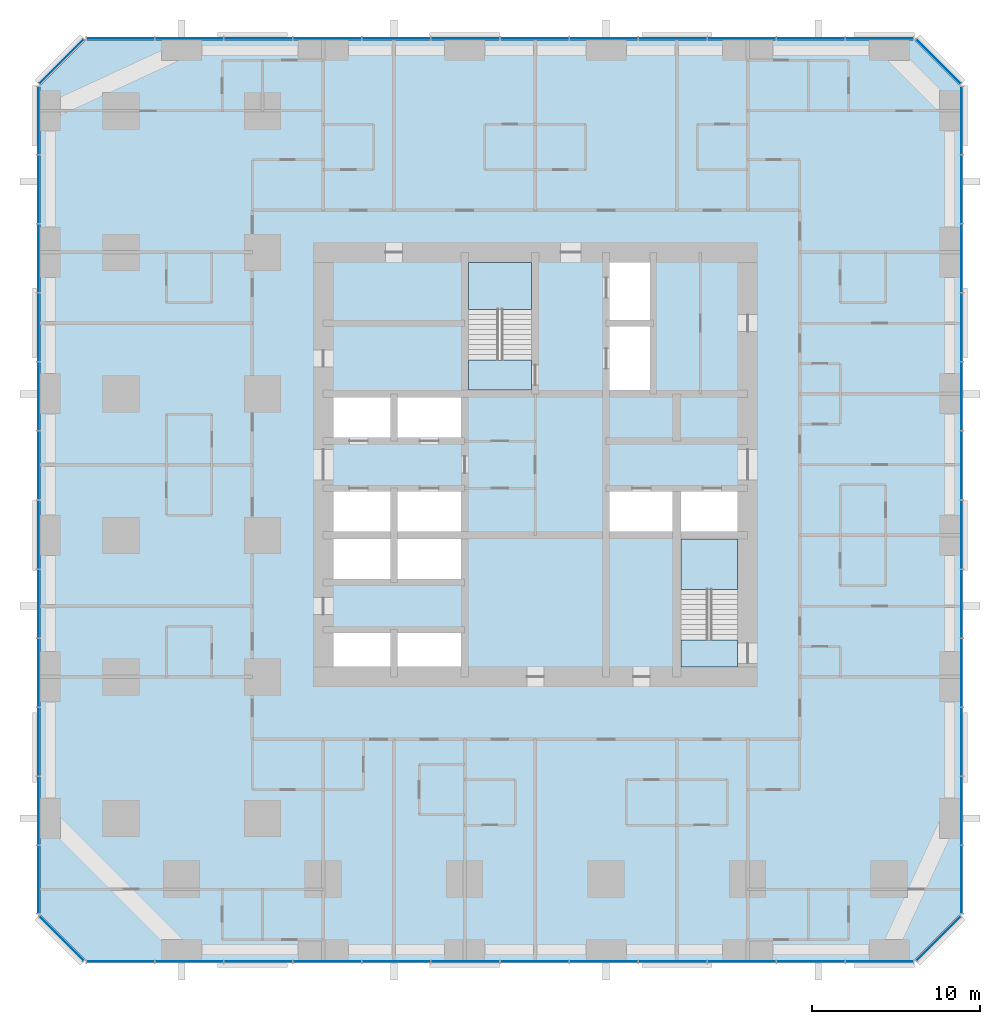
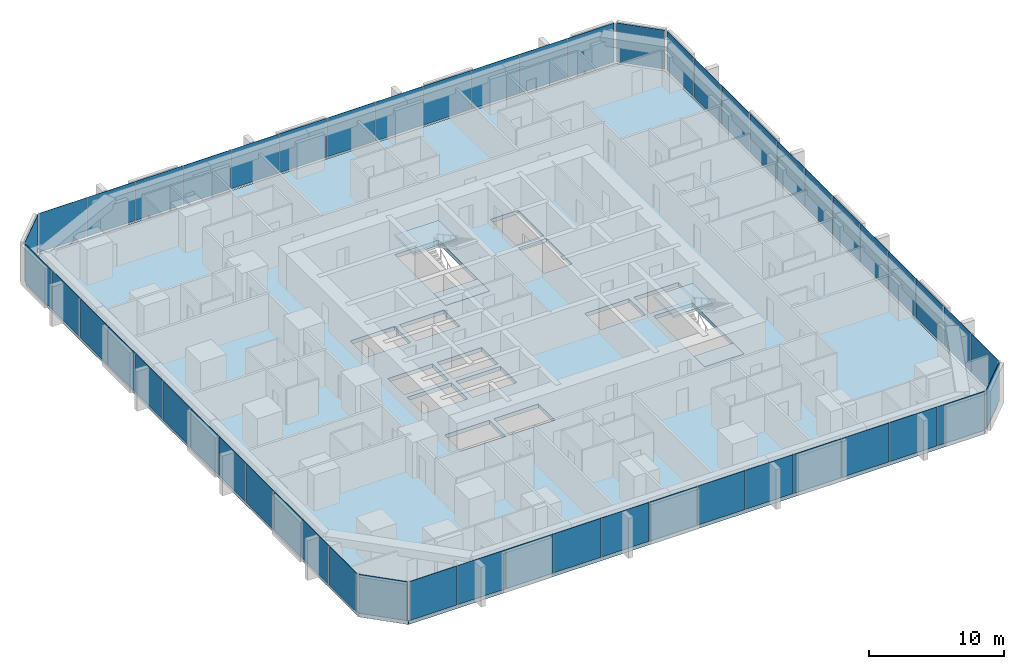
# One storey, part 7 of 13: 52 plates, 5 slabs, 10 elements without a shape of their own.
"""IFC4 building model written with IfcOpenShell, lengths in metres."""

from ifc_helpers import new_model, si_unit, direction, frame, origin, origin_2d, place, context, subcontext, project, spatial, polyline, rectangle, outline, extrude, material, layer, layer_set, type_object, element, aggregate, save


model = new_model("IFC4")

# Units and contexts
model_context = context("Model", 3, precision=1e-05, world=origin(), true_north=direction((0.0, 1.0)))
body_context = subcontext(model_context, "Body", "Model", "MODEL_VIEW")
ifc_project = project(units=[si_unit("LENGTHUNIT", "METRE"), si_unit("AREAUNIT", "SQUARE_METRE"), si_unit("VOLUMEUNIT", "CUBIC_METRE"), si_unit("PLANEANGLEUNIT", "RADIAN"), si_unit("MASSUNIT", "GRAM", prefix="KILO")], contexts=[model_context])

# Site, building, storey
site_placement = place(None, origin())
site = spatial("IfcSite", under=ifc_project, at=site_placement, CompositionType="ELEMENT")
building_placement = place(site_placement, origin())
building = spatial("IfcBuilding", under=site, at=building_placement, Name="Dunama Terrace Hotel", CompositionType="ELEMENT")
storey_placement = place(building_placement, frame((0.0, 0.0, 144.0)))
storey = spatial("IfcBuildingStorey", under=building, at=storey_placement, Name="L37", CompositionType="ELEMENT", Elevation=144.0)

# Curtain wall, plates
ifc_material_1 = material(Name="Aluminium curtain wall system", Category="aluminium")
curtain_wall_type = type_object("IfcCurtainWallType", Name="Unitised fritted glass wall CW-B", PredefinedType="NOTDEFINED", material=ifc_material_1)
curtain_wall_1_placement = place(storey_placement, origin())
curtain_wall_1 = element("IfcCurtainWall", 1, at=curtain_wall_1_placement, inside=storey, type_object=curtain_wall_type, Name="Unitised fritted glass wall CW-B L37", PredefinedType="NOTDEFINED")
ifc_material_2 = material(Name="Laminated glass", Category="glass")
ifc_layer_1 = layer(ifc_material_2, 0.030029296875)
ifc_layer_set_1 = layer_set([ifc_layer_1], Name="CWB clear glass panel")
plate_type_1 = type_object("IfcPlateType", Name="CWB clear glass panel", PredefinedType="CURTAIN_PANEL", material=ifc_layer_set_1)
plate_1_placement = place(storey_placement, frame((4.76611328125, -0.110107421875, 0.080078125), z_axis=(0.0, 0.0, 1.0), x_axis=(1.0, 0.0, 0.0)))
plate_1 = element("IfcPlate", 2, at=plate_1_placement, type_object=plate_type_1, Name="CWB clear glass panel", PredefinedType="CURTAIN_PANEL", context=body_context, shape_type="SweptSolid", body=[
    extrude(rectangle(XDim=4.00244140625, YDim=0.030029296875, at=origin_2d()), origin(), (0.0, 0.0, 1.0), 3.52001953125),
])
plate_2_placement = place(storey_placement, frame((17.050048828125, -0.110107421875, 0.080078125), z_axis=(0.0, 0.0, 1.0), x_axis=(1.0, 0.0, 0.0)))
plate_2 = element("IfcPlate", 3, at=plate_2_placement, type_object=plate_type_1, Name="CWB clear glass panel", PredefinedType="CURTAIN_PANEL", context=body_context, shape_type="SweptSolid", body=[
    extrude(rectangle(XDim=4.034912109375, YDim=0.030029296875, at=origin_2d()), origin(), (0.0, 0.0, 1.0), 3.52001953125),
])
plate_3_placement = place(storey_placement, frame((29.35009765625, -0.110107421875, 0.080078125), z_axis=(0.0, 0.0, 1.0), x_axis=(1.0, 0.0, 0.0)))
plate_3 = element("IfcPlate", 4, at=plate_3_placement, type_object=plate_type_1, Name="CWB clear glass panel", PredefinedType="CURTAIN_PANEL", context=body_context, shape_type="SweptSolid", body=[
    extrude(rectangle(XDim=4.034912109375, YDim=0.030029296875, at=origin_2d()), origin(), (0.0, 0.0, 1.0), 3.52001953125),
])
plate_4_placement = place(storey_placement, frame((41.64990234375, -0.110107421875, 0.080078125), z_axis=(0.0, 0.0, 1.0), x_axis=(1.0, 0.0, 0.0)))
plate_4 = element("IfcPlate", 5, at=plate_4_placement, type_object=plate_type_1, Name="CWB clear glass panel", PredefinedType="CURTAIN_PANEL", context=body_context, shape_type="SweptSolid", body=[
    extrude(rectangle(XDim=4.034912109375, YDim=0.030029296875, at=origin_2d()), origin(), (0.0, 0.0, 1.0), 3.52001953125),
])

# Curtain wall, plate
curtain_wall_2_placement = place(storey_placement, origin())
curtain_wall_2 = element("IfcCurtainWall", 6, at=curtain_wall_2_placement, inside=storey, type_object=curtain_wall_type, Name="Unitised fritted glass wall CW-B L37", PredefinedType="NOTDEFINED")
plate_5_placement = place(storey_placement, frame((53.327880859375, 1.27197265625, 0.080078125), z_axis=(0.0, 0.0, 1.0), x_axis=(0.707106781187, 0.707106781187, 0.0)))
plate_5 = element("IfcPlate", 7, at=plate_5_placement, type_object=plate_type_1, Name="CWB clear glass panel", PredefinedType="CURTAIN_PANEL", context=body_context, shape_type="SweptSolid", body=[
    extrude(rectangle(XDim=3.6884765625, YDim=0.030029296875, at=origin_2d()), origin(), (0.0, 0.0, 1.0), 3.52001953125),
])
aggregate(curtain_wall_2, [plate_5])

# Curtain wall, plates
curtain_wall_3_placement = place(storey_placement, origin())
curtain_wall_3 = element("IfcCurtainWall", 8, at=curtain_wall_3_placement, inside=storey, type_object=curtain_wall_type, Name="Unitised fritted glass wall CW-B L37", PredefinedType="NOTDEFINED")
plate_6_placement = place(storey_placement, frame((54.7099609375, 12.949951171875, 0.080078125), z_axis=(0.0, 0.0, 1.0), x_axis=(0.0, 1.0, 0.0)))
plate_6 = element("IfcPlate", 9, at=plate_6_placement, type_object=plate_type_1, Name="CWB clear glass panel", PredefinedType="CURTAIN_PANEL", context=body_context, shape_type="SweptSolid", body=[
    extrude(rectangle(XDim=4.034912109375, YDim=0.030029296875, at=origin_2d()), origin(), (0.0, 0.0, 1.0), 3.52001953125),
])
plate_7_placement = place(storey_placement, frame((54.7099609375, 25.25, 0.080078125), z_axis=(0.0, 0.0, 1.0), x_axis=(0.0, 1.0, 0.0)))
plate_7 = element("IfcPlate", 10, at=plate_7_placement, type_object=plate_type_1, Name="CWB clear glass panel", PredefinedType="CURTAIN_PANEL", context=body_context, shape_type="SweptSolid", body=[
    extrude(rectangle(XDim=4.034912109375, YDim=0.030029296875, at=origin_2d()), origin(), (0.0, 0.0, 1.0), 3.52001953125),
])
plate_8_placement = place(storey_placement, frame((54.7099609375, 37.550048828125, 0.080078125), z_axis=(0.0, 0.0, 1.0), x_axis=(0.0, 1.0, 0.0)))
plate_8 = element("IfcPlate", 11, at=plate_8_placement, type_object=plate_type_1, Name="CWB clear glass panel", PredefinedType="CURTAIN_PANEL", context=body_context, shape_type="SweptSolid", body=[
    extrude(rectangle(XDim=4.034912109375, YDim=0.030029296875, at=origin_2d()), origin(), (0.0, 0.0, 1.0), 3.52001953125),
])
plate_9_placement = place(storey_placement, frame((54.7099609375, 49.833984375, 0.080078125), z_axis=(0.0, 0.0, 1.0), x_axis=(0.0, 1.0, 0.0)))
plate_9 = element("IfcPlate", 12, at=plate_9_placement, type_object=plate_type_1, Name="CWB clear glass panel", PredefinedType="CURTAIN_PANEL", context=body_context, shape_type="SweptSolid", body=[
    extrude(rectangle(XDim=4.00244140625, YDim=0.030029296875, at=origin_2d()), origin(), (0.0, 0.0, 1.0), 3.52001953125),
])

curtain_wall_4_placement = place(storey_placement, origin())
curtain_wall_4 = element("IfcCurtainWall", 13, at=curtain_wall_4_placement, inside=storey, type_object=curtain_wall_type, Name="Unitised fritted glass wall CW-B L37", PredefinedType="NOTDEFINED")
plate_10_placement = place(storey_placement, frame((45.75, 54.7099609375, 0.080078125), z_axis=(0.0, 0.0, 1.0), x_axis=(-1.0, 0.0, 0.0)))
plate_10 = element("IfcPlate", 14, at=plate_10_placement, type_object=plate_type_1, Name="CWB clear glass panel", PredefinedType="CURTAIN_PANEL", context=body_context, shape_type="SweptSolid", body=[
    extrude(rectangle(XDim=4.034912109375, YDim=0.030029296875, at=origin_2d()), origin(), (0.0, 0.0, 1.0), 3.52001953125),
])
plate_11_placement = place(storey_placement, frame((33.449951171875, 54.7099609375, 0.080078125), z_axis=(0.0, 0.0, 1.0), x_axis=(-1.0, 0.0, 0.0)))
plate_11 = element("IfcPlate", 15, at=plate_11_placement, type_object=plate_type_1, Name="CWB clear glass panel", PredefinedType="CURTAIN_PANEL", context=body_context, shape_type="SweptSolid", body=[
    extrude(rectangle(XDim=4.034912109375, YDim=0.030029296875, at=origin_2d()), origin(), (0.0, 0.0, 1.0), 3.52001953125),
])
plate_12_placement = place(storey_placement, frame((21.14990234375, 54.7099609375, 0.080078125), z_axis=(0.0, 0.0, 1.0), x_axis=(-1.0, 0.0, 0.0)))
plate_12 = element("IfcPlate", 16, at=plate_12_placement, type_object=plate_type_1, Name="CWB clear glass panel", PredefinedType="CURTAIN_PANEL", context=body_context, shape_type="SweptSolid", body=[
    extrude(rectangle(XDim=4.034912109375, YDim=0.030029296875, at=origin_2d()), origin(), (0.0, 0.0, 1.0), 3.52001953125),
])
plate_13_placement = place(storey_placement, frame((8.85009765625, 54.7099609375, 0.080078125), z_axis=(0.0, 0.0, 1.0), x_axis=(-1.0, 0.0, 0.0)))
plate_13 = element("IfcPlate", 17, at=plate_13_placement, type_object=plate_type_1, Name="CWB clear glass panel", PredefinedType="CURTAIN_PANEL", context=body_context, shape_type="SweptSolid", body=[
    extrude(rectangle(XDim=4.034912109375, YDim=0.030029296875, at=origin_2d()), origin(), (0.0, 0.0, 1.0), 3.52001953125),
])

curtain_wall_5_placement = place(storey_placement, origin())
curtain_wall_5 = element("IfcCurtainWall", 18, at=curtain_wall_5_placement, inside=storey, type_object=curtain_wall_type, Name="Unitised fritted glass wall CW-B L37", PredefinedType="NOTDEFINED")
plate_14_placement = place(storey_placement, frame((-0.110107421875, 49.833984375, 0.080078125), z_axis=(0.0, 0.0, 1.0), x_axis=(0.0, -1.0, 0.0)))
plate_14 = element("IfcPlate", 19, at=plate_14_placement, type_object=plate_type_1, Name="CWB clear glass panel", PredefinedType="CURTAIN_PANEL", context=body_context, shape_type="SweptSolid", body=[
    extrude(rectangle(XDim=4.00244140625, YDim=0.030029296875, at=origin_2d()), origin(), (0.0, 0.0, 1.0), 3.52001953125),
])
plate_15_placement = place(storey_placement, frame((-0.110107421875, 37.550048828125, 0.080078125), z_axis=(0.0, 0.0, 1.0), x_axis=(0.0, -1.0, 0.0)))
plate_15 = element("IfcPlate", 20, at=plate_15_placement, type_object=plate_type_1, Name="CWB clear glass panel", PredefinedType="CURTAIN_PANEL", context=body_context, shape_type="SweptSolid", body=[
    extrude(rectangle(XDim=4.034912109375, YDim=0.030029296875, at=origin_2d()), origin(), (0.0, 0.0, 1.0), 3.52001953125),
])
plate_16_placement = place(storey_placement, frame((-0.110107421875, 25.25, 0.080078125), z_axis=(0.0, 0.0, 1.0), x_axis=(0.0, -1.0, 0.0)))
plate_16 = element("IfcPlate", 21, at=plate_16_placement, type_object=plate_type_1, Name="CWB clear glass panel", PredefinedType="CURTAIN_PANEL", context=body_context, shape_type="SweptSolid", body=[
    extrude(rectangle(XDim=4.034912109375, YDim=0.030029296875, at=origin_2d()), origin(), (0.0, 0.0, 1.0), 3.52001953125),
])
plate_17_placement = place(storey_placement, frame((-0.110107421875, 12.949951171875, 0.080078125), z_axis=(0.0, 0.0, 1.0), x_axis=(0.0, -1.0, 0.0)))
plate_17 = element("IfcPlate", 22, at=plate_17_placement, type_object=plate_type_1, Name="CWB clear glass panel", PredefinedType="CURTAIN_PANEL", context=body_context, shape_type="SweptSolid", body=[
    extrude(rectangle(XDim=4.034912109375, YDim=0.030029296875, at=origin_2d()), origin(), (0.0, 0.0, 1.0), 3.52001953125),
])

# Curtain wall, plate
curtain_wall_6_placement = place(storey_placement, origin())
curtain_wall_6 = element("IfcCurtainWall", 23, at=curtain_wall_6_placement, inside=storey, type_object=curtain_wall_type, Name="Unitised fritted glass wall CW-B L37", PredefinedType="NOTDEFINED")
plate_18_placement = place(storey_placement, frame((1.27197265625, 1.27197265625, 0.080078125), z_axis=(0.0, 0.0, 1.0), x_axis=(0.707106781187, -0.707106781187, 0.0)))
plate_18 = element("IfcPlate", 24, at=plate_18_placement, type_object=plate_type_1, Name="CWB clear glass panel", PredefinedType="CURTAIN_PANEL", context=body_context, shape_type="SweptSolid", body=[
    extrude(rectangle(XDim=3.6884765625, YDim=0.030029296875, at=origin_2d()), origin(), (0.0, 0.0, 1.0), 3.52001953125),
])
aggregate(curtain_wall_6, [plate_18])

# Plate
ifc_material_3 = material(Name="Fritted laminated glass", Category="glass")
ifc_layer_2 = layer(ifc_material_3, 0.030029296875)
ifc_layer_set_2 = layer_set([ifc_layer_2], Name="CWB fritted glass panel")
plate_type_2 = type_object("IfcPlateType", Name="CWB fritted glass panel", PredefinedType="CURTAIN_PANEL", material=ifc_layer_set_2)
plate_19_placement = place(storey_placement, frame((12.949951171875, -0.110107421875, 0.080078125), z_axis=(0.0, 0.0, 1.0), x_axis=(1.0, 0.0, 0.0)))
plate_19 = element("IfcPlate", 25, at=plate_19_placement, type_object=plate_type_2, Name="CWB fritted glass panel", PredefinedType="CURTAIN_PANEL", context=body_context, shape_type="SweptSolid", body=[
    extrude(rectangle(XDim=4.034912109375, YDim=0.030029296875, at=origin_2d()), origin(), (0.0, 0.0, 1.0), 3.52001953125),
])

plate_20_placement = place(storey_placement, frame((25.25, -0.110107421875, 0.080078125), z_axis=(0.0, 0.0, 1.0), x_axis=(1.0, 0.0, 0.0)))
plate_20 = element("IfcPlate", 26, at=plate_20_placement, type_object=plate_type_2, Name="CWB fritted glass panel", PredefinedType="CURTAIN_PANEL", context=body_context, shape_type="SweptSolid", body=[
    extrude(rectangle(XDim=4.034912109375, YDim=0.030029296875, at=origin_2d()), origin(), (0.0, 0.0, 1.0), 3.52001953125),
])

plate_21_placement = place(storey_placement, frame((37.550048828125, -0.110107421875, 0.080078125), z_axis=(0.0, 0.0, 1.0), x_axis=(1.0, 0.0, 0.0)))
plate_21 = element("IfcPlate", 27, at=plate_21_placement, type_object=plate_type_2, Name="CWB fritted glass panel", PredefinedType="CURTAIN_PANEL", context=body_context, shape_type="SweptSolid", body=[
    extrude(rectangle(XDim=4.034912109375, YDim=0.030029296875, at=origin_2d()), origin(), (0.0, 0.0, 1.0), 3.52001953125),
])

plate_22_placement = place(storey_placement, frame((49.833984375, -0.110107421875, 0.080078125), z_axis=(0.0, 0.0, 1.0), x_axis=(1.0, 0.0, 0.0)))
plate_22 = element("IfcPlate", 28, at=plate_22_placement, type_object=plate_type_2, Name="CWB fritted glass panel", PredefinedType="CURTAIN_PANEL", context=body_context, shape_type="SweptSolid", body=[
    extrude(rectangle(XDim=4.00244140625, YDim=0.030029296875, at=origin_2d()), origin(), (0.0, 0.0, 1.0), 3.52001953125),
])

plate_23_placement = place(storey_placement, frame((54.7099609375, 8.85009765625, 0.080078125), z_axis=(0.0, 0.0, 1.0), x_axis=(0.0, 1.0, 0.0)))
plate_23 = element("IfcPlate", 29, at=plate_23_placement, type_object=plate_type_2, Name="CWB fritted glass panel", PredefinedType="CURTAIN_PANEL", context=body_context, shape_type="SweptSolid", body=[
    extrude(rectangle(XDim=4.034912109375, YDim=0.030029296875, at=origin_2d()), origin(), (0.0, 0.0, 1.0), 3.52001953125),
])

plate_24_placement = place(storey_placement, frame((54.7099609375, 21.14990234375, 0.080078125), z_axis=(0.0, 0.0, 1.0), x_axis=(0.0, 1.0, 0.0)))
plate_24 = element("IfcPlate", 30, at=plate_24_placement, type_object=plate_type_2, Name="CWB fritted glass panel", PredefinedType="CURTAIN_PANEL", context=body_context, shape_type="SweptSolid", body=[
    extrude(rectangle(XDim=4.034912109375, YDim=0.030029296875, at=origin_2d()), origin(), (0.0, 0.0, 1.0), 3.52001953125),
])

plate_25_placement = place(storey_placement, frame((54.7099609375, 33.449951171875, 0.080078125), z_axis=(0.0, 0.0, 1.0), x_axis=(0.0, 1.0, 0.0)))
plate_25 = element("IfcPlate", 31, at=plate_25_placement, type_object=plate_type_2, Name="CWB fritted glass panel", PredefinedType="CURTAIN_PANEL", context=body_context, shape_type="SweptSolid", body=[
    extrude(rectangle(XDim=4.034912109375, YDim=0.030029296875, at=origin_2d()), origin(), (0.0, 0.0, 1.0), 3.52001953125),
])

plate_26_placement = place(storey_placement, frame((54.7099609375, 45.75, 0.080078125), z_axis=(0.0, 0.0, 1.0), x_axis=(0.0, 1.0, 0.0)))
plate_26 = element("IfcPlate", 32, at=plate_26_placement, type_object=plate_type_2, Name="CWB fritted glass panel", PredefinedType="CURTAIN_PANEL", context=body_context, shape_type="SweptSolid", body=[
    extrude(rectangle(XDim=4.034912109375, YDim=0.030029296875, at=origin_2d()), origin(), (0.0, 0.0, 1.0), 3.52001953125),
])

plate_27_placement = place(storey_placement, frame((49.833984375, 54.7099609375, 0.080078125), z_axis=(0.0, 0.0, 1.0), x_axis=(-1.0, 0.0, 0.0)))
plate_27 = element("IfcPlate", 33, at=plate_27_placement, type_object=plate_type_2, Name="CWB fritted glass panel", PredefinedType="CURTAIN_PANEL", context=body_context, shape_type="SweptSolid", body=[
    extrude(rectangle(XDim=4.00244140625, YDim=0.030029296875, at=origin_2d()), origin(), (0.0, 0.0, 1.0), 3.52001953125),
])

plate_28_placement = place(storey_placement, frame((37.550048828125, 54.7099609375, 0.080078125), z_axis=(0.0, 0.0, 1.0), x_axis=(-1.0, 0.0, 0.0)))
plate_28 = element("IfcPlate", 34, at=plate_28_placement, type_object=plate_type_2, Name="CWB fritted glass panel", PredefinedType="CURTAIN_PANEL", context=body_context, shape_type="SweptSolid", body=[
    extrude(rectangle(XDim=4.034912109375, YDim=0.030029296875, at=origin_2d()), origin(), (0.0, 0.0, 1.0), 3.52001953125),
])

plate_29_placement = place(storey_placement, frame((25.25, 54.7099609375, 0.080078125), z_axis=(0.0, 0.0, 1.0), x_axis=(-1.0, 0.0, 0.0)))
plate_29 = element("IfcPlate", 35, at=plate_29_placement, type_object=plate_type_2, Name="CWB fritted glass panel", PredefinedType="CURTAIN_PANEL", context=body_context, shape_type="SweptSolid", body=[
    extrude(rectangle(XDim=4.034912109375, YDim=0.030029296875, at=origin_2d()), origin(), (0.0, 0.0, 1.0), 3.52001953125),
])

plate_30_placement = place(storey_placement, frame((12.949951171875, 54.7099609375, 0.080078125), z_axis=(0.0, 0.0, 1.0), x_axis=(-1.0, 0.0, 0.0)))
plate_30 = element("IfcPlate", 36, at=plate_30_placement, type_object=plate_type_2, Name="CWB fritted glass panel", PredefinedType="CURTAIN_PANEL", context=body_context, shape_type="SweptSolid", body=[
    extrude(rectangle(XDim=4.034912109375, YDim=0.030029296875, at=origin_2d()), origin(), (0.0, 0.0, 1.0), 3.52001953125),
])

# Curtain wall, plate
curtain_wall_7_placement = place(storey_placement, origin())
curtain_wall_7 = element("IfcCurtainWall", 37, at=curtain_wall_7_placement, inside=storey, type_object=curtain_wall_type, Name="Unitised fritted glass wall CW-B L37", PredefinedType="NOTDEFINED")
plate_31_placement = place(storey_placement, frame((1.27197265625, 53.327880859375, 0.080078125), z_axis=(0.0, 0.0, 1.0), x_axis=(-0.707106781187, -0.707106781187, 0.0)))
plate_31 = element("IfcPlate", 38, at=plate_31_placement, type_object=plate_type_2, Name="CWB fritted glass panel", PredefinedType="CURTAIN_PANEL", context=body_context, shape_type="SweptSolid", body=[
    extrude(rectangle(XDim=3.6884765625, YDim=0.030029296875, at=origin_2d()), origin(), (0.0, 0.0, 1.0), 3.52001953125),
])
aggregate(curtain_wall_7, [plate_31])

# Plate
plate_32_placement = place(storey_placement, frame((-0.110107421875, 41.64990234375, 0.080078125), z_axis=(0.0, 0.0, 1.0), x_axis=(0.0, -1.0, 0.0)))
plate_32 = element("IfcPlate", 39, at=plate_32_placement, type_object=plate_type_2, Name="CWB fritted glass panel", PredefinedType="CURTAIN_PANEL", context=body_context, shape_type="SweptSolid", body=[
    extrude(rectangle(XDim=4.034912109375, YDim=0.030029296875, at=origin_2d()), origin(), (0.0, 0.0, 1.0), 3.52001953125),
])

plate_33_placement = place(storey_placement, frame((-0.110107421875, 29.35009765625, 0.080078125), z_axis=(0.0, 0.0, 1.0), x_axis=(0.0, -1.0, 0.0)))
plate_33 = element("IfcPlate", 40, at=plate_33_placement, type_object=plate_type_2, Name="CWB fritted glass panel", PredefinedType="CURTAIN_PANEL", context=body_context, shape_type="SweptSolid", body=[
    extrude(rectangle(XDim=4.034912109375, YDim=0.030029296875, at=origin_2d()), origin(), (0.0, 0.0, 1.0), 3.52001953125),
])

plate_34_placement = place(storey_placement, frame((-0.110107421875, 17.050048828125, 0.080078125), z_axis=(0.0, 0.0, 1.0), x_axis=(0.0, -1.0, 0.0)))
plate_34 = element("IfcPlate", 41, at=plate_34_placement, type_object=plate_type_2, Name="CWB fritted glass panel", PredefinedType="CURTAIN_PANEL", context=body_context, shape_type="SweptSolid", body=[
    extrude(rectangle(XDim=4.034912109375, YDim=0.030029296875, at=origin_2d()), origin(), (0.0, 0.0, 1.0), 3.52001953125),
])

plate_35_placement = place(storey_placement, frame((-0.110107421875, 4.76611328125, 0.080078125), z_axis=(0.0, 0.0, 1.0), x_axis=(0.0, -1.0, 0.0)))
plate_35 = element("IfcPlate", 42, at=plate_35_placement, type_object=plate_type_2, Name="CWB fritted glass panel", PredefinedType="CURTAIN_PANEL", context=body_context, shape_type="SweptSolid", body=[
    extrude(rectangle(XDim=4.00244140625, YDim=0.030029296875, at=origin_2d()), origin(), (0.0, 0.0, 1.0), 3.52001953125),
])

ifc_material_4 = material(Name="Laminated glass", Category="glass")
ifc_layer_3 = layer(ifc_material_4, 0.030029296875)
ifc_layer_set_3 = layer_set([ifc_layer_3], Name="CWB operable glass panel")
plate_type_3 = type_object("IfcPlateType", Name="CWB operable glass panel", PredefinedType="CURTAIN_PANEL", material=ifc_layer_set_3)
plate_36_placement = place(storey_placement, frame((8.85009765625, -0.110107421875, 0.080078125), z_axis=(0.0, 0.0, 1.0), x_axis=(1.0, 0.0, 0.0)))
plate_36 = element("IfcPlate", 43, at=plate_36_placement, type_object=plate_type_3, Name="CWB operable glass panel", PredefinedType="CURTAIN_PANEL", context=body_context, shape_type="SweptSolid", body=[
    extrude(rectangle(XDim=4.034912109375, YDim=0.030029296875, at=origin_2d()), origin(), (0.0, 0.0, 1.0), 3.52001953125),
])

plate_37_placement = place(storey_placement, frame((21.14990234375, -0.110107421875, 0.080078125), z_axis=(0.0, 0.0, 1.0), x_axis=(1.0, 0.0, 0.0)))
plate_37 = element("IfcPlate", 44, at=plate_37_placement, type_object=plate_type_3, Name="CWB operable glass panel", PredefinedType="CURTAIN_PANEL", context=body_context, shape_type="SweptSolid", body=[
    extrude(rectangle(XDim=4.034912109375, YDim=0.030029296875, at=origin_2d()), origin(), (0.0, 0.0, 1.0), 3.52001953125),
])

plate_38_placement = place(storey_placement, frame((33.449951171875, -0.110107421875, 0.080078125), z_axis=(0.0, 0.0, 1.0), x_axis=(1.0, 0.0, 0.0)))
plate_38 = element("IfcPlate", 45, at=plate_38_placement, type_object=plate_type_3, Name="CWB operable glass panel", PredefinedType="CURTAIN_PANEL", context=body_context, shape_type="SweptSolid", body=[
    extrude(rectangle(XDim=4.034912109375, YDim=0.030029296875, at=origin_2d()), origin(), (0.0, 0.0, 1.0), 3.52001953125),
])

plate_39_placement = place(storey_placement, frame((45.75, -0.110107421875, 0.080078125), z_axis=(0.0, 0.0, 1.0), x_axis=(1.0, 0.0, 0.0)))
plate_39 = element("IfcPlate", 46, at=plate_39_placement, type_object=plate_type_3, Name="CWB operable glass panel", PredefinedType="CURTAIN_PANEL", context=body_context, shape_type="SweptSolid", body=[
    extrude(rectangle(XDim=4.034912109375, YDim=0.030029296875, at=origin_2d()), origin(), (0.0, 0.0, 1.0), 3.52001953125),
])

aggregate(curtain_wall_1, [plate_1, plate_36, plate_19, plate_2, plate_37, plate_20, plate_3, plate_38, plate_21, plate_4, plate_39, plate_22])

plate_40_placement = place(storey_placement, frame((54.7099609375, 4.76611328125, 0.080078125), z_axis=(0.0, 0.0, 1.0), x_axis=(0.0, 1.0, 0.0)))
plate_40 = element("IfcPlate", 47, at=plate_40_placement, type_object=plate_type_3, Name="CWB operable glass panel", PredefinedType="CURTAIN_PANEL", context=body_context, shape_type="SweptSolid", body=[
    extrude(rectangle(XDim=4.00244140625, YDim=0.030029296875, at=origin_2d()), origin(), (0.0, 0.0, 1.0), 3.52001953125),
])

plate_41_placement = place(storey_placement, frame((54.7099609375, 17.050048828125, 0.080078125), z_axis=(0.0, 0.0, 1.0), x_axis=(0.0, 1.0, 0.0)))
plate_41 = element("IfcPlate", 48, at=plate_41_placement, type_object=plate_type_3, Name="CWB operable glass panel", PredefinedType="CURTAIN_PANEL", context=body_context, shape_type="SweptSolid", body=[
    extrude(rectangle(XDim=4.034912109375, YDim=0.030029296875, at=origin_2d()), origin(), (0.0, 0.0, 1.0), 3.52001953125),
])

plate_42_placement = place(storey_placement, frame((54.7099609375, 29.35009765625, 0.080078125), z_axis=(0.0, 0.0, 1.0), x_axis=(0.0, 1.0, 0.0)))
plate_42 = element("IfcPlate", 49, at=plate_42_placement, type_object=plate_type_3, Name="CWB operable glass panel", PredefinedType="CURTAIN_PANEL", context=body_context, shape_type="SweptSolid", body=[
    extrude(rectangle(XDim=4.034912109375, YDim=0.030029296875, at=origin_2d()), origin(), (0.0, 0.0, 1.0), 3.52001953125),
])

plate_43_placement = place(storey_placement, frame((54.7099609375, 41.64990234375, 0.080078125), z_axis=(0.0, 0.0, 1.0), x_axis=(0.0, 1.0, 0.0)))
plate_43 = element("IfcPlate", 50, at=plate_43_placement, type_object=plate_type_3, Name="CWB operable glass panel", PredefinedType="CURTAIN_PANEL", context=body_context, shape_type="SweptSolid", body=[
    extrude(rectangle(XDim=4.034912109375, YDim=0.030029296875, at=origin_2d()), origin(), (0.0, 0.0, 1.0), 3.52001953125),
])

aggregate(curtain_wall_3, [plate_40, plate_23, plate_6, plate_41, plate_24, plate_7, plate_42, plate_25, plate_8, plate_43, plate_26, plate_9])

# Curtain wall, plate
curtain_wall_8_placement = place(storey_placement, origin())
curtain_wall_8 = element("IfcCurtainWall", 51, at=curtain_wall_8_placement, inside=storey, type_object=curtain_wall_type, Name="Unitised fritted glass wall CW-B L37", PredefinedType="NOTDEFINED")
plate_44_placement = place(storey_placement, frame((53.327880859375, 53.327880859375, 0.080078125), z_axis=(0.0, 0.0, 1.0), x_axis=(-0.707106781187, 0.707106781187, 0.0)))
plate_44 = element("IfcPlate", 52, at=plate_44_placement, type_object=plate_type_3, Name="CWB operable glass panel", PredefinedType="CURTAIN_PANEL", context=body_context, shape_type="SweptSolid", body=[
    extrude(rectangle(XDim=3.6884765625, YDim=0.030029296875, at=origin_2d()), origin(), (0.0, 0.0, 1.0), 3.52001953125),
])
aggregate(curtain_wall_8, [plate_44])

# Plate
plate_45_placement = place(storey_placement, frame((41.64990234375, 54.7099609375, 0.080078125), z_axis=(0.0, 0.0, 1.0), x_axis=(-1.0, 0.0, 0.0)))
plate_45 = element("IfcPlate", 53, at=plate_45_placement, type_object=plate_type_3, Name="CWB operable glass panel", PredefinedType="CURTAIN_PANEL", context=body_context, shape_type="SweptSolid", body=[
    extrude(rectangle(XDim=4.034912109375, YDim=0.030029296875, at=origin_2d()), origin(), (0.0, 0.0, 1.0), 3.52001953125),
])

plate_46_placement = place(storey_placement, frame((29.35009765625, 54.7099609375, 0.080078125), z_axis=(0.0, 0.0, 1.0), x_axis=(-1.0, 0.0, 0.0)))
plate_46 = element("IfcPlate", 54, at=plate_46_placement, type_object=plate_type_3, Name="CWB operable glass panel", PredefinedType="CURTAIN_PANEL", context=body_context, shape_type="SweptSolid", body=[
    extrude(rectangle(XDim=4.034912109375, YDim=0.030029296875, at=origin_2d()), origin(), (0.0, 0.0, 1.0), 3.52001953125),
])

plate_47_placement = place(storey_placement, frame((17.050048828125, 54.7099609375, 0.080078125), z_axis=(0.0, 0.0, 1.0), x_axis=(-1.0, 0.0, 0.0)))
plate_47 = element("IfcPlate", 55, at=plate_47_placement, type_object=plate_type_3, Name="CWB operable glass panel", PredefinedType="CURTAIN_PANEL", context=body_context, shape_type="SweptSolid", body=[
    extrude(rectangle(XDim=4.034912109375, YDim=0.030029296875, at=origin_2d()), origin(), (0.0, 0.0, 1.0), 3.52001953125),
])

plate_48_placement = place(storey_placement, frame((4.76611328125, 54.7099609375, 0.080078125), z_axis=(0.0, 0.0, 1.0), x_axis=(-1.0, 0.0, 0.0)))
plate_48 = element("IfcPlate", 56, at=plate_48_placement, type_object=plate_type_3, Name="CWB operable glass panel", PredefinedType="CURTAIN_PANEL", context=body_context, shape_type="SweptSolid", body=[
    extrude(rectangle(XDim=4.00244140625, YDim=0.030029296875, at=origin_2d()), origin(), (0.0, 0.0, 1.0), 3.52001953125),
])

aggregate(curtain_wall_4, [plate_27, plate_10, plate_45, plate_28, plate_11, plate_46, plate_29, plate_12, plate_47, plate_30, plate_13, plate_48])

plate_49_placement = place(storey_placement, frame((-0.110107421875, 45.75, 0.080078125), z_axis=(0.0, 0.0, 1.0), x_axis=(0.0, -1.0, 0.0)))
plate_49 = element("IfcPlate", 57, at=plate_49_placement, type_object=plate_type_3, Name="CWB operable glass panel", PredefinedType="CURTAIN_PANEL", context=body_context, shape_type="SweptSolid", body=[
    extrude(rectangle(XDim=4.034912109375, YDim=0.030029296875, at=origin_2d()), origin(), (0.0, 0.0, 1.0), 3.52001953125),
])

plate_50_placement = place(storey_placement, frame((-0.110107421875, 33.449951171875, 0.080078125), z_axis=(0.0, 0.0, 1.0), x_axis=(0.0, -1.0, 0.0)))
plate_50 = element("IfcPlate", 58, at=plate_50_placement, type_object=plate_type_3, Name="CWB operable glass panel", PredefinedType="CURTAIN_PANEL", context=body_context, shape_type="SweptSolid", body=[
    extrude(rectangle(XDim=4.034912109375, YDim=0.030029296875, at=origin_2d()), origin(), (0.0, 0.0, 1.0), 3.52001953125),
])

plate_51_placement = place(storey_placement, frame((-0.110107421875, 21.14990234375, 0.080078125), z_axis=(0.0, 0.0, 1.0), x_axis=(0.0, -1.0, 0.0)))
plate_51 = element("IfcPlate", 59, at=plate_51_placement, type_object=plate_type_3, Name="CWB operable glass panel", PredefinedType="CURTAIN_PANEL", context=body_context, shape_type="SweptSolid", body=[
    extrude(rectangle(XDim=4.034912109375, YDim=0.030029296875, at=origin_2d()), origin(), (0.0, 0.0, 1.0), 3.52001953125),
])

plate_52_placement = place(storey_placement, frame((-0.110107421875, 8.85009765625, 0.080078125), z_axis=(0.0, 0.0, 1.0), x_axis=(0.0, -1.0, 0.0)))
plate_52 = element("IfcPlate", 60, at=plate_52_placement, type_object=plate_type_3, Name="CWB operable glass panel", PredefinedType="CURTAIN_PANEL", context=body_context, shape_type="SweptSolid", body=[
    extrude(rectangle(XDim=4.034912109375, YDim=0.030029296875, at=origin_2d()), origin(), (0.0, 0.0, 1.0), 3.52001953125),
])

aggregate(curtain_wall_5, [plate_14, plate_49, plate_32, plate_15, plate_50, plate_33, plate_16, plate_51, plate_34, plate_17, plate_52, plate_35])

# Slab
ifc_material_5 = material(Name="Concrete C40/50", Category="concrete")
ifc_layer_4 = layer(ifc_material_5, 0.35009765625)
ifc_layer_set_4 = layer_set([ifc_layer_4], Name="Flat plate 350")
slab_type_1 = type_object("IfcSlabType", Name="Flat plate 350", PredefinedType="FLOOR", material=ifc_layer_set_4)
slab_1_placement = place(storey_placement, frame((0.0, 0.0, -0.35009765625)))
element("IfcSlab", 61, at=slab_1_placement, inside=storey, type_object=slab_type_1, Name="Floor slab L37", PredefinedType="FLOOR", context=body_context, shape_type="SweptSolid", body=[
    extrude(outline(polyline([(2.699951171875, 0.0), (51.89990234375, 0.0), (54.60009765625, 2.699951171875), (54.60009765625, 51.89990234375), (51.89990234375, 54.60009765625), (2.699951171875, 54.60009765625), (0.0, 51.89990234375), (0.0, 2.699951171875), (2.699951171875, 0.0)]), holes=[polyline([(37.60009765625, 25.39990234375), (37.60009765625, 27.800048828125), (33.800048828125, 27.800048828125), (33.800048828125, 25.39990234375), (37.60009765625, 25.39990234375)]), polyline([(41.800048828125, 25.39990234375), (41.800048828125, 27.800048828125), (38.0, 27.800048828125), (38.0, 25.39990234375), (41.800048828125, 25.39990234375)]), polyline([(20.800048828125, 17.0), (20.800048828125, 19.39990234375), (17.0, 19.39990234375), (17.0, 17.0), (20.800048828125, 17.0)]), polyline([(25.0, 17.0), (25.0, 19.39990234375), (21.199951171875, 19.39990234375), (21.199951171875, 17.0), (25.0, 17.0)]), polyline([(20.800048828125, 22.60009765625), (20.800048828125, 25.0), (17.0, 25.0), (17.0, 22.60009765625), (20.800048828125, 22.60009765625)]), polyline([(25.0, 22.60009765625), (25.0, 25.0), (21.199951171875, 25.0), (21.199951171875, 22.60009765625), (25.0, 22.60009765625)]), polyline([(20.800048828125, 25.39990234375), (20.800048828125, 27.800048828125), (17.0, 27.800048828125), (17.0, 25.39990234375), (20.800048828125, 25.39990234375)]), polyline([(25.0, 25.39990234375), (25.0, 27.800048828125), (21.199951171875, 27.800048828125), (21.199951171875, 25.39990234375), (25.0, 25.39990234375)]), polyline([(20.800048828125, 31.0), (20.800048828125, 33.39990234375), (17.0, 33.39990234375), (17.0, 31.0), (20.800048828125, 31.0)]), polyline([(25.0, 31.0), (25.0, 33.39990234375), (21.199951171875, 33.39990234375), (21.199951171875, 31.0), (25.0, 31.0)]), polyline([(36.199951171875, 38.0), (36.199951171875, 41.800048828125), (33.800048828125, 41.800048828125), (33.800048828125, 38.0), (36.199951171875, 38.0)]), polyline([(36.199951171875, 33.800048828125), (36.199951171875, 37.60009765625), (33.800048828125, 37.60009765625), (33.800048828125, 33.800048828125), (36.199951171875, 33.800048828125)]), polyline([(29.175048828125, 33.824951171875), (29.175048828125, 41.39990234375), (25.425048828125, 41.39990234375), (25.425048828125, 33.824951171875), (29.175048828125, 33.824951171875)]), polyline([(41.39990234375, 17.39990234375), (41.39990234375, 24.97509765625), (38.050048828125, 24.97509765625), (38.050048828125, 17.39990234375), (41.39990234375, 17.39990234375)])]), origin(), (0.0, 0.0, 1.0), 0.35009765625),
])

# Stair, slabs
ifc_material_6 = material(Name="Concrete C40/50", Category="concrete")
stair_type_1 = type_object("IfcStairType", Name="Stair ST1-3600-1800", PredefinedType="HALF_TURN_STAIR", material=ifc_material_6)
stair_1_placement = place(storey_placement, origin())
stair_1 = element("IfcStair", 62, at=stair_1_placement, inside=storey, type_object=stair_type_1, Name="Stair ST1 L37", PredefinedType="HALF_TURN_STAIR")
ifc_material_7 = material(Name="Concrete C40/50", Category="concrete")
ifc_layer_5 = layer(ifc_material_7, 0.199951171875)
ifc_layer_set_5 = layer_set([ifc_layer_5], Name="Stair landing 200")
slab_type_2 = type_object("IfcSlabType", Name="Stair landing 200", PredefinedType="LANDING", material=ifc_layer_set_5)
slab_2_placement = place(storey_placement, frame((0.0, 0.0, -0.199951171875)))
slab_2 = element("IfcSlab", 63, at=slab_2_placement, type_object=slab_type_2, Name="ST1 landing 1, type S10", PredefinedType="LANDING", context=body_context, shape_type="SweptSolid", body=[
    extrude(outline(polyline([(25.425048828125, 33.824951171875), (29.175048828125, 33.824951171875), (29.175048828125, 35.625), (25.425048828125, 35.625), (25.425048828125, 33.824951171875)])), origin(), (0.0, 0.0, 1.0), 0.199951171875),
])
slab_3_placement = place(storey_placement, frame((0.0, 0.0, 1.60009765625)))
slab_3 = element("IfcSlab", 64, at=slab_3_placement, type_object=slab_type_2, Name="ST1 landing 2, type S10", PredefinedType="LANDING", context=body_context, shape_type="SweptSolid", body=[
    extrude(outline(polyline([(25.425048828125, 38.625), (29.175048828125, 38.625), (29.175048828125, 41.39990234375), (25.425048828125, 41.39990234375), (25.425048828125, 38.625)])), origin(), (0.0, 0.0, 1.0), 0.199951171875),
])
aggregate(stair_1, [slab_2, slab_3])

ifc_material_8 = material(Name="Concrete C40/50", Category="concrete")
stair_type_2 = type_object("IfcStairType", Name="Stair ST2-3600-1600", PredefinedType="HALF_TURN_STAIR", material=ifc_material_8)
stair_2_placement = place(storey_placement, origin())
stair_2 = element("IfcStair", 65, at=stair_2_placement, inside=storey, type_object=stair_type_2, Name="Stair ST2 L37", PredefinedType="HALF_TURN_STAIR")
slab_4_placement = place(storey_placement, frame((0.0, 0.0, -0.199951171875)))
slab_4 = element("IfcSlab", 66, at=slab_4_placement, type_object=slab_type_2, Name="ST2 landing 1, type S10", PredefinedType="LANDING", context=body_context, shape_type="SweptSolid", body=[
    extrude(outline(polyline([(38.050048828125, 17.39990234375), (41.39990234375, 17.39990234375), (41.39990234375, 19.0), (38.050048828125, 19.0), (38.050048828125, 17.39990234375)])), origin(), (0.0, 0.0, 1.0), 0.199951171875),
])
slab_5_placement = place(storey_placement, frame((0.0, 0.0, 1.60009765625)))
slab_5 = element("IfcSlab", 67, at=slab_5_placement, type_object=slab_type_2, Name="ST2 landing 2, type S10", PredefinedType="LANDING", context=body_context, shape_type="SweptSolid", body=[
    extrude(outline(polyline([(38.050048828125, 22.0), (41.39990234375, 22.0), (41.39990234375, 24.97509765625), (38.050048828125, 24.97509765625), (38.050048828125, 22.0)])), origin(), (0.0, 0.0, 1.0), 0.199951171875),
])
aggregate(stair_2, [slab_4, slab_5])

save(model, "model.ifc")
